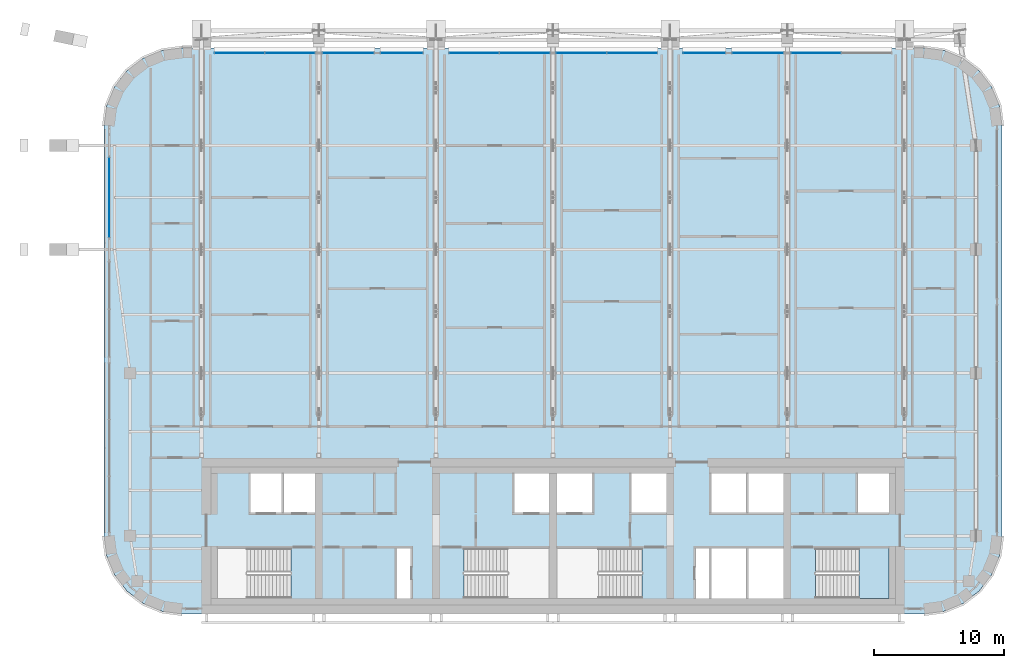
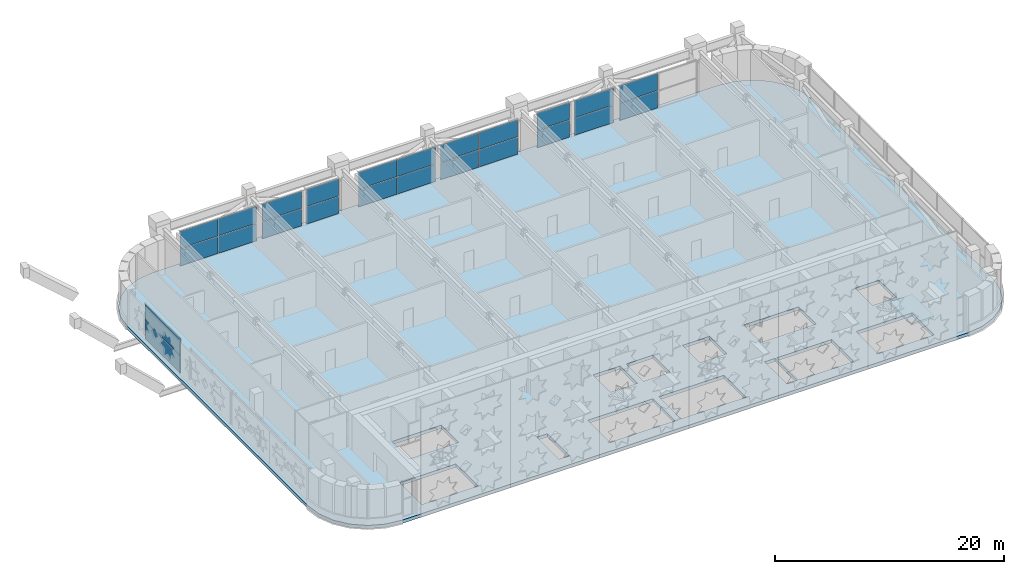
# One storey, part 14 of 26: 24 plates, 2 slabs, 10 elements without a shape of their own.
"""IFC4 building model written with IfcOpenShell, lengths in metres."""

from ifc_helpers import new_model, si_unit, direction, frame, origin, origin_2d, place, context, subcontext, project, spatial, polyline, rectangle, outline, extrude, material, layer, layer_set, type_object, element, aggregate, save


model = new_model("IFC4")

# Units and contexts
model_context = context("Model", 3, precision=1e-05, world=origin(), true_north=direction((0.0, 1.0)))
body_context = subcontext(model_context, "Body", "Model", "MODEL_VIEW")
ifc_project = project(units=[si_unit("LENGTHUNIT", "METRE"), si_unit("AREAUNIT", "SQUARE_METRE"), si_unit("VOLUMEUNIT", "CUBIC_METRE"), si_unit("PLANEANGLEUNIT", "RADIAN"), si_unit("MASSUNIT", "GRAM", prefix="KILO")], contexts=[model_context])

# Site, building, storey
site_placement = place(None, origin())
site = spatial("IfcSite", under=ifc_project, at=site_placement, CompositionType="ELEMENT")
building_placement = place(site_placement, origin())
building = spatial("IfcBuilding", under=site, at=building_placement, Name="Zellij Exchange Tower", CompositionType="ELEMENT")
storey_placement = place(building_placement, frame((0.0, 0.0, 216.5)))
storey = spatial("IfcBuildingStorey", under=building, at=storey_placement, Name="L50", CompositionType="ELEMENT", Elevation=216.5)

# Stair, slab
ifc_material_1 = material(Name="Concrete C40/50", Category="concrete")
stair_type = type_object("IfcStairType", Name="CORE-ST exit stair 1850 wide", PredefinedType="HALF_TURN_STAIR", material=ifc_material_1)
stair_placement = place(storey_placement, origin())
stair = element("IfcStair", 1, at=stair_placement, inside=storey, type_object=stair_type, Name="L50 exit stair ST4", PredefinedType="HALF_TURN_STAIR")
ifc_layer_1 = layer(ifc_material_1, 0.199951171875)
ifc_layer_set_1 = layer_set([ifc_layer_1], Name="Concrete C40/50")
slab_type_1 = type_object("IfcSlabType", Name="CORE-SL stair landing 200", PredefinedType="LANDING", material=ifc_layer_set_1)
slab_1_placement = place(storey_placement, frame((0.0, 0.0, 1.800048828125)))
slab_1 = element("IfcSlab", 2, at=slab_1_placement, type_object=slab_type_1, Name="ST4 landing 1", PredefinedType="LANDING", context=body_context, shape_type="SweptSolid", body=[
    extrude(outline(polyline([(23.510009765625, -12.800048828125), (25.800048828125, -12.800048828125), (25.800048828125, -8.949951171875), (23.510009765625, -8.949951171875), (23.510009765625, -12.800048828125)])), origin(), (0.0, 0.0, 1.0), 0.199951171875),
])
aggregate(stair, [slab_1])

# Curtain wall, plate
ifc_material_2 = material(Name="Aluminium frame, clear insulating glass", Category="aluminium")
curtain_wall_type = type_object("IfcCurtainWallType", Name="ENV-CW2 Outrigger-storey glazing", PredefinedType="NOTDEFINED", material=ifc_material_2)
curtain_wall_1_placement = place(storey_placement, origin())
curtain_wall_1 = element("IfcCurtainWall", 3, at=curtain_wall_1_placement, inside=storey, type_object=curtain_wall_type, Name="cw.L50.14b.a", PredefinedType="NOTDEFINED")
ifc_material_3 = material(Name="Aluminium louvre", Category="aluminium")
ifc_layer_2 = layer(ifc_material_3, 0.031982421875)
ifc_layer_set_2 = layer_set([ifc_layer_2], Name="Aluminium louvre")
plate_type_1 = type_object("IfcPlateType", Name="ENV-CW2L Louvred panel 32", PredefinedType="CURTAIN_PANEL", material=ifc_layer_set_2)
plate_1_placement = place(storey_placement, frame((20.21484375, 29.10009765625, 1.929931640625), z_axis=(0.0, 0.0, 1.0), x_axis=(-1.0, 0.0, 0.0)))
plate_1 = element("IfcPlate", 4, at=plate_1_placement, type_object=plate_type_1, Name="CW2 panel 2.2", PredefinedType="CURTAIN_PANEL", context=body_context, shape_type="SweptSolid", body=[
    extrude(rectangle(XDim=3.81005859375, YDim=0.031982421875, at=origin_2d()), origin(), (0.0, 0.0, 1.0), 1.81005859375),
])

curtain_wall_2_placement = place(storey_placement, origin())
curtain_wall_2 = element("IfcCurtainWall", 5, at=curtain_wall_2_placement, inside=storey, type_object=curtain_wall_type, Name="cw.L50.14b.b", PredefinedType="NOTDEFINED")
plate_2_placement = place(storey_placement, frame((15.72509765625, 29.10009765625, 1.929931640625), z_axis=(0.0, 0.0, 1.0), x_axis=(-1.0, 0.0, 0.0)))
plate_2 = element("IfcPlate", 6, at=plate_2_placement, type_object=plate_type_1, Name="CW2 panel 1.2", PredefinedType="CURTAIN_PANEL", context=body_context, shape_type="SweptSolid", body=[
    extrude(rectangle(XDim=3.93017578125, YDim=0.031982421875, at=origin_2d()), origin(), (0.0, 0.0, 1.0), 1.81005859375),
])

curtain_wall_3_placement = place(storey_placement, origin())
curtain_wall_3 = element("IfcCurtainWall", 7, at=curtain_wall_3_placement, inside=storey, type_object=curtain_wall_type, Name="cw.L50.14c", PredefinedType="NOTDEFINED")
plate_3_placement = place(storey_placement, frame((11.625, 29.10009765625, 0.06005859375), z_axis=(0.0, 0.0, 1.0), x_axis=(-1.0, 0.0, 0.0)))
plate_3 = element("IfcPlate", 8, at=plate_3_placement, type_object=plate_type_1, Name="CW2 panel 1.1", PredefinedType="CURTAIN_PANEL", context=body_context, shape_type="SweptSolid", body=[
    extrude(rectangle(XDim=3.22998046875, YDim=0.031982421875, at=origin_2d()), origin(), (0.0, 0.0, 1.0), 1.81005859375),
])

# Curtain wall, plates
curtain_wall_4_placement = place(storey_placement, origin())
curtain_wall_4 = element("IfcCurtainWall", 9, at=curtain_wall_4_placement, inside=storey, type_object=curtain_wall_type, Name="cw.L50.14d", PredefinedType="NOTDEFINED")
plate_4_placement = place(storey_placement, frame((6.072509765625, 29.10009765625, 0.06005859375), z_axis=(0.0, 0.0, 1.0), x_axis=(-1.0, 0.0, 0.0)))
plate_4 = element("IfcPlate", 10, at=plate_4_placement, type_object=plate_type_1, Name="CW2 panel 1.1", PredefinedType="CURTAIN_PANEL", context=body_context, shape_type="SweptSolid", body=[
    extrude(rectangle(XDim=3.8349609375, YDim=0.031982421875, at=origin_2d()), origin(), (0.0, 0.0, 1.0), 1.81005859375),
])
plate_5_placement = place(storey_placement, frame((6.072509765625, 29.10009765625, 1.929931640625), z_axis=(0.0, 0.0, 1.0), x_axis=(-1.0, 0.0, 0.0)))
plate_5 = element("IfcPlate", 11, at=plate_5_placement, type_object=plate_type_1, Name="CW2 panel 1.2", PredefinedType="CURTAIN_PANEL", context=body_context, shape_type="SweptSolid", body=[
    extrude(rectangle(XDim=3.8349609375, YDim=0.031982421875, at=origin_2d()), origin(), (0.0, 0.0, 1.0), 1.81005859375),
])
plate_6_placement = place(storey_placement, frame((2.177490234375, 29.10009765625, 1.929931640625), z_axis=(0.0, 0.0, 1.0), x_axis=(-1.0, 0.0, 0.0)))
plate_6 = element("IfcPlate", 12, at=plate_6_placement, type_object=plate_type_1, Name="CW2 panel 2.2", PredefinedType="CURTAIN_PANEL", context=body_context, shape_type="SweptSolid", body=[
    extrude(rectangle(XDim=3.8349609375, YDim=0.031982421875, at=origin_2d()), origin(), (0.0, 0.0, 1.0), 1.81005859375),
])

curtain_wall_5_placement = place(storey_placement, origin())
curtain_wall_5 = element("IfcCurtainWall", 13, at=curtain_wall_5_placement, inside=storey, type_object=curtain_wall_type, Name="cw.L50.14e", PredefinedType="NOTDEFINED")
plate_7_placement = place(storey_placement, frame((-2.177490234375, 29.10009765625, 1.929931640625), z_axis=(0.0, 0.0, 1.0), x_axis=(-1.0, 0.0, 0.0)))
plate_7 = element("IfcPlate", 14, at=plate_7_placement, type_object=plate_type_1, Name="CW2 panel 1.2", PredefinedType="CURTAIN_PANEL", context=body_context, shape_type="SweptSolid", body=[
    extrude(rectangle(XDim=3.8349609375, YDim=0.031982421875, at=origin_2d()), origin(), (0.0, 0.0, 1.0), 1.81005859375),
])
plate_8_placement = place(storey_placement, frame((-6.072509765625, 29.10009765625, 0.06005859375), z_axis=(0.0, 0.0, 1.0), x_axis=(-1.0, 0.0, 0.0)))
plate_8 = element("IfcPlate", 15, at=plate_8_placement, type_object=plate_type_1, Name="CW2 panel 2.1", PredefinedType="CURTAIN_PANEL", context=body_context, shape_type="SweptSolid", body=[
    extrude(rectangle(XDim=3.8349609375, YDim=0.031982421875, at=origin_2d()), origin(), (0.0, 0.0, 1.0), 1.81005859375),
])
plate_9_placement = place(storey_placement, frame((-6.072509765625, 29.10009765625, 1.929931640625), z_axis=(0.0, 0.0, 1.0), x_axis=(-1.0, 0.0, 0.0)))
plate_9 = element("IfcPlate", 16, at=plate_9_placement, type_object=plate_type_1, Name="CW2 panel 2.2", PredefinedType="CURTAIN_PANEL", context=body_context, shape_type="SweptSolid", body=[
    extrude(rectangle(XDim=3.8349609375, YDim=0.031982421875, at=origin_2d()), origin(), (0.0, 0.0, 1.0), 1.81005859375),
])

# Curtain wall, plate
curtain_wall_6_placement = place(storey_placement, origin())
curtain_wall_6 = element("IfcCurtainWall", 17, at=curtain_wall_6_placement, inside=storey, type_object=curtain_wall_type, Name="cw.L50.14f", PredefinedType="NOTDEFINED")
plate_10_placement = place(storey_placement, frame((-11.625, 29.10009765625, 0.06005859375), z_axis=(0.0, 0.0, 1.0), x_axis=(-1.0, 0.0, 0.0)))
plate_10 = element("IfcPlate", 18, at=plate_10_placement, type_object=plate_type_1, Name="CW2 panel 1.1", PredefinedType="CURTAIN_PANEL", context=body_context, shape_type="SweptSolid", body=[
    extrude(rectangle(XDim=3.22998046875, YDim=0.031982421875, at=origin_2d()), origin(), (0.0, 0.0, 1.0), 1.81005859375),
])

curtain_wall_7_placement = place(storey_placement, origin())
curtain_wall_7 = element("IfcCurtainWall", 19, at=curtain_wall_7_placement, inside=storey, type_object=curtain_wall_type, Name="cw.L50.14g.a", PredefinedType="NOTDEFINED")
plate_11_placement = place(storey_placement, frame((-15.72509765625, 29.10009765625, 1.929931640625), z_axis=(0.0, 0.0, 1.0), x_axis=(-1.0, 0.0, 0.0)))
plate_11 = element("IfcPlate", 20, at=plate_11_placement, type_object=plate_type_1, Name="CW2 panel 1.2", PredefinedType="CURTAIN_PANEL", context=body_context, shape_type="SweptSolid", body=[
    extrude(rectangle(XDim=3.93017578125, YDim=0.031982421875, at=origin_2d()), origin(), (0.0, 0.0, 1.0), 1.81005859375),
])

# Curtain wall, plates
curtain_wall_8_placement = place(storey_placement, origin())
curtain_wall_8 = element("IfcCurtainWall", 21, at=curtain_wall_8_placement, inside=storey, type_object=curtain_wall_type, Name="cw.L50.14g.b", PredefinedType="NOTDEFINED")
plate_12_placement = place(storey_placement, frame((-20.21484375, 29.10009765625, 1.929931640625), z_axis=(0.0, 0.0, 1.0), x_axis=(-1.0, 0.0, 0.0)))
plate_12 = element("IfcPlate", 22, at=plate_12_placement, type_object=plate_type_1, Name="CW2 panel 1.2", PredefinedType="CURTAIN_PANEL", context=body_context, shape_type="SweptSolid", body=[
    extrude(rectangle(XDim=3.81005859375, YDim=0.031982421875, at=origin_2d()), origin(), (0.0, 0.0, 1.0), 1.81005859375),
])
plate_13_placement = place(storey_placement, frame((-24.0849609375, 29.10009765625, 0.06005859375), z_axis=(0.0, 0.0, 1.0), x_axis=(-1.0, 0.0, 0.0)))
plate_13 = element("IfcPlate", 23, at=plate_13_placement, type_object=plate_type_1, Name="CW2 panel 2.1", PredefinedType="CURTAIN_PANEL", context=body_context, shape_type="SweptSolid", body=[
    extrude(rectangle(XDim=3.81005859375, YDim=0.031982421875, at=origin_2d()), origin(), (0.0, 0.0, 1.0), 1.81005859375),
])

# Plate
ifc_material_4 = material(Name="Insulating glass unit, clear", Category="glass")
ifc_layer_3 = layer(ifc_material_4, 0.031982421875)
ifc_layer_set_3 = layer_set([ifc_layer_3], Name="Insulating glass unit, clear")
plate_type_2 = type_object("IfcPlateType", Name="ENV-CW2P Glazed panel 32", PredefinedType="CURTAIN_PANEL", material=ifc_layer_set_3)
plate_14_placement = place(storey_placement, frame((20.21484375, 29.10009765625, 0.06005859375), z_axis=(0.0, 0.0, 1.0), x_axis=(-1.0, 0.0, 0.0)))
plate_14 = element("IfcPlate", 24, at=plate_14_placement, type_object=plate_type_2, Name="CW2 panel 2.1", PredefinedType="CURTAIN_PANEL", context=body_context, shape_type="SweptSolid", body=[
    extrude(rectangle(XDim=3.81005859375, YDim=0.031982421875, at=origin_2d()), origin(), (0.0, 0.0, 1.0), 1.81005859375),
])

aggregate(curtain_wall_1, [plate_14, plate_1])

plate_15_placement = place(storey_placement, frame((15.72509765625, 29.10009765625, 0.06005859375), z_axis=(0.0, 0.0, 1.0), x_axis=(-1.0, 0.0, 0.0)))
plate_15 = element("IfcPlate", 25, at=plate_15_placement, type_object=plate_type_2, Name="CW2 panel 1.1", PredefinedType="CURTAIN_PANEL", context=body_context, shape_type="SweptSolid", body=[
    extrude(rectangle(XDim=3.93017578125, YDim=0.031982421875, at=origin_2d()), origin(), (0.0, 0.0, 1.0), 1.81005859375),
])

aggregate(curtain_wall_2, [plate_15, plate_2])

plate_16_placement = place(storey_placement, frame((11.625, 29.10009765625, 1.929931640625), z_axis=(0.0, 0.0, 1.0), x_axis=(-1.0, 0.0, 0.0)))
plate_16 = element("IfcPlate", 26, at=plate_16_placement, type_object=plate_type_2, Name="CW2 panel 1.2", PredefinedType="CURTAIN_PANEL", context=body_context, shape_type="SweptSolid", body=[
    extrude(rectangle(XDim=3.22998046875, YDim=0.031982421875, at=origin_2d()), origin(), (0.0, 0.0, 1.0), 1.81005859375),
])

aggregate(curtain_wall_3, [plate_3, plate_16])

plate_17_placement = place(storey_placement, frame((2.177490234375, 29.10009765625, 0.06005859375), z_axis=(0.0, 0.0, 1.0), x_axis=(-1.0, 0.0, 0.0)))
plate_17 = element("IfcPlate", 27, at=plate_17_placement, type_object=plate_type_2, Name="CW2 panel 2.1", PredefinedType="CURTAIN_PANEL", context=body_context, shape_type="SweptSolid", body=[
    extrude(rectangle(XDim=3.8349609375, YDim=0.031982421875, at=origin_2d()), origin(), (0.0, 0.0, 1.0), 1.81005859375),
])

aggregate(curtain_wall_4, [plate_4, plate_5, plate_17, plate_6])

plate_18_placement = place(storey_placement, frame((-2.177490234375, 29.10009765625, 0.06005859375), z_axis=(0.0, 0.0, 1.0), x_axis=(-1.0, 0.0, 0.0)))
plate_18 = element("IfcPlate", 28, at=plate_18_placement, type_object=plate_type_2, Name="CW2 panel 1.1", PredefinedType="CURTAIN_PANEL", context=body_context, shape_type="SweptSolid", body=[
    extrude(rectangle(XDim=3.8349609375, YDim=0.031982421875, at=origin_2d()), origin(), (0.0, 0.0, 1.0), 1.81005859375),
])

aggregate(curtain_wall_5, [plate_18, plate_7, plate_8, plate_9])

plate_19_placement = place(storey_placement, frame((-11.625, 29.10009765625, 1.929931640625), z_axis=(0.0, 0.0, 1.0), x_axis=(-1.0, 0.0, 0.0)))
plate_19 = element("IfcPlate", 29, at=plate_19_placement, type_object=plate_type_2, Name="CW2 panel 1.2", PredefinedType="CURTAIN_PANEL", context=body_context, shape_type="SweptSolid", body=[
    extrude(rectangle(XDim=3.22998046875, YDim=0.031982421875, at=origin_2d()), origin(), (0.0, 0.0, 1.0), 1.81005859375),
])

aggregate(curtain_wall_6, [plate_10, plate_19])

plate_20_placement = place(storey_placement, frame((-15.72509765625, 29.10009765625, 0.06005859375), z_axis=(0.0, 0.0, 1.0), x_axis=(-1.0, 0.0, 0.0)))
plate_20 = element("IfcPlate", 30, at=plate_20_placement, type_object=plate_type_2, Name="CW2 panel 1.1", PredefinedType="CURTAIN_PANEL", context=body_context, shape_type="SweptSolid", body=[
    extrude(rectangle(XDim=3.93017578125, YDim=0.031982421875, at=origin_2d()), origin(), (0.0, 0.0, 1.0), 1.81005859375),
])

aggregate(curtain_wall_7, [plate_20, plate_11])

plate_21_placement = place(storey_placement, frame((-20.21484375, 29.10009765625, 0.06005859375), z_axis=(0.0, 0.0, 1.0), x_axis=(-1.0, 0.0, 0.0)))
plate_21 = element("IfcPlate", 31, at=plate_21_placement, type_object=plate_type_2, Name="CW2 panel 1.1", PredefinedType="CURTAIN_PANEL", context=body_context, shape_type="SweptSolid", body=[
    extrude(rectangle(XDim=3.81005859375, YDim=0.031982421875, at=origin_2d()), origin(), (0.0, 0.0, 1.0), 1.81005859375),
])

plate_22_placement = place(storey_placement, frame((-24.0849609375, 29.10009765625, 1.929931640625), z_axis=(0.0, 0.0, 1.0), x_axis=(-1.0, 0.0, 0.0)))
plate_22 = element("IfcPlate", 32, at=plate_22_placement, type_object=plate_type_2, Name="CW2 panel 2.2", PredefinedType="CURTAIN_PANEL", context=body_context, shape_type="SweptSolid", body=[
    extrude(rectangle(XDim=3.81005859375, YDim=0.031982421875, at=origin_2d()), origin(), (0.0, 0.0, 1.0), 1.81005859375),
])

aggregate(curtain_wall_8, [plate_21, plate_12, plate_13, plate_22])

# Curtain wall, plates
curtain_wall_9_placement = place(storey_placement, origin())
curtain_wall_9 = element("IfcCurtainWall", 33, at=curtain_wall_9_placement, inside=storey, type_object=curtain_wall_type, Name="cw.L50.21a.a", PredefinedType="NOTDEFINED")
plate_23_placement = place(storey_placement, frame((-34.10009765625, 18.0, 0.06005859375), z_axis=(0.0, 0.0, 1.0), x_axis=(0.0, -1.0, 0.0)))
plate_23 = element("IfcPlate", 34, at=plate_23_placement, type_object=plate_type_2, Name="CW2 panel 1.1", PredefinedType="CURTAIN_PANEL", context=body_context, shape_type="SweptSolid", body=[
    extrude(rectangle(XDim=6.080078125, YDim=0.031982421875, at=origin_2d()), origin(), (0.0, 0.0, 1.0), 1.81005859375),
])
plate_24_placement = place(storey_placement, frame((-34.10009765625, 18.0, 1.929931640625), z_axis=(0.0, 0.0, 1.0), x_axis=(0.0, -1.0, 0.0)))
plate_24 = element("IfcPlate", 35, at=plate_24_placement, type_object=plate_type_2, Name="CW2 panel 1.2", PredefinedType="CURTAIN_PANEL", context=body_context, shape_type="SweptSolid", body=[
    extrude(rectangle(XDim=6.080078125, YDim=0.031982421875, at=origin_2d()), origin(), (0.0, 0.0, 1.0), 1.81005859375),
])
aggregate(curtain_wall_9, [plate_23, plate_24])

# Slab
ifc_layer_4 = layer(ifc_material_1, 0.35009765625)
ifc_layer_set_4 = layer_set([ifc_layer_4], Name="Concrete C40/50")
slab_type_2 = type_object("IfcSlabType", Name="STR-FLOOR SLAB 350 C40/50", PredefinedType="FLOOR", material=ifc_layer_set_4)
slab_2_placement = place(storey_placement, frame((0.0, 0.0, -0.35009765625)))
element("IfcSlab", 36, at=slab_2_placement, inside=storey, type_object=slab_type_2, Name="Floor L50", PredefinedType="FLOOR", context=body_context, shape_type="SweptSolid", body=[
    extrude(outline(polyline([(-28.5, -14.0), (-30.052978515625, -13.795654296875), (-31.5, -13.1962890625), (-32.74267578125, -12.24267578125), (-33.6962890625, -11.0), (-34.295654296875, -9.552978515625), (-34.5, -8.0), (-34.5, 23.5), (-34.295654296875, 25.052978515625), (-33.6962890625, 26.5), (-32.74267578125, 27.74267578125), (-31.5, 28.6962890625), (-30.052978515625, 29.295654296875), (-28.5, 29.5), (28.5, 29.5), (30.052978515625, 29.295654296875), (31.5, 28.6962890625), (32.74267578125, 27.74267578125), (33.6962890625, 26.5), (34.295654296875, 25.052978515625), (34.5, 23.5), (34.5, -8.0), (34.295654296875, -9.552978515625), (33.6962890625, -11.0), (32.74267578125, -12.24267578125), (31.5, -13.1962890625), (30.052978515625, -13.795654296875), (28.5, -14.0), (-28.5, -14.0)]), holes=[polyline([(-25.800048828125, -8.949951171875), (-25.800048828125, -12.800048828125), (-20.153076171875, -12.800048828125), (-20.153076171875, -8.949951171875), (-25.800048828125, -8.949951171875)]), polyline([(-10.949951171875, -8.949951171875), (-12.0, -8.949951171875), (-12.0, -12.800048828125), (-10.949951171875, -12.800048828125), (-10.949951171875, -8.949951171875)]), polyline([(-0.300048828125, -8.949951171875), (-6.846923828125, -8.949951171875), (-6.846923828125, -12.800048828125), (-0.300048828125, -12.800048828125), (-0.300048828125, -8.949951171875)]), polyline([(0.300048828125, -8.949951171875), (0.300048828125, -12.800048828125), (6.846923828125, -12.800048828125), (6.846923828125, -8.949951171875), (0.300048828125, -8.949951171875)]), polyline([(-18.300048828125, -3.199951171875), (-23.25, -3.199951171875), (-23.25, -6.22509765625), (-18.300048828125, -6.22509765625), (-18.300048828125, -3.199951171875)]), polyline([(-0.300048828125, -3.199951171875), (-3.0, -3.199951171875), (-3.0, -6.22509765625), (-0.300048828125, -6.22509765625), (-0.300048828125, -3.199951171875)]), polyline([(0.300048828125, -3.199951171875), (0.300048828125, -6.22509765625), (3.0, -6.22509765625), (3.0, -3.199951171875), (0.300048828125, -3.199951171875)]), polyline([(12.0, -8.949951171875), (10.949951171875, -8.949951171875), (10.949951171875, -12.800048828125), (12.0, -12.800048828125), (12.0, -8.949951171875)]), polyline([(17.699951171875, -8.949951171875), (12.14990234375, -8.949951171875), (12.14990234375, -12.800048828125), (17.699951171875, -12.800048828125), (17.699951171875, -8.949951171875)]), polyline([(25.800048828125, -8.949951171875), (20.153076171875, -8.949951171875), (20.153076171875, -12.800048828125), (25.800048828125, -12.800048828125), (25.800048828125, -8.949951171875)]), polyline([(8.699951171875, -3.199951171875), (6.0, -3.199951171875), (6.0, -6.22509765625), (8.699951171875, -6.22509765625), (8.699951171875, -3.199951171875)]), polyline([(17.699951171875, -3.199951171875), (12.14990234375, -3.199951171875), (12.14990234375, -6.22509765625), (17.699951171875, -6.22509765625), (17.699951171875, -3.199951171875)]), polyline([(25.800048828125, -3.199951171875), (23.39990234375, -3.199951171875), (23.39990234375, -6.22509765625), (25.800048828125, -6.22509765625), (25.800048828125, -3.199951171875)])]), origin(), (0.0, 0.0, 1.0), 0.35009765625),
])

save(model, "model.ifc")
